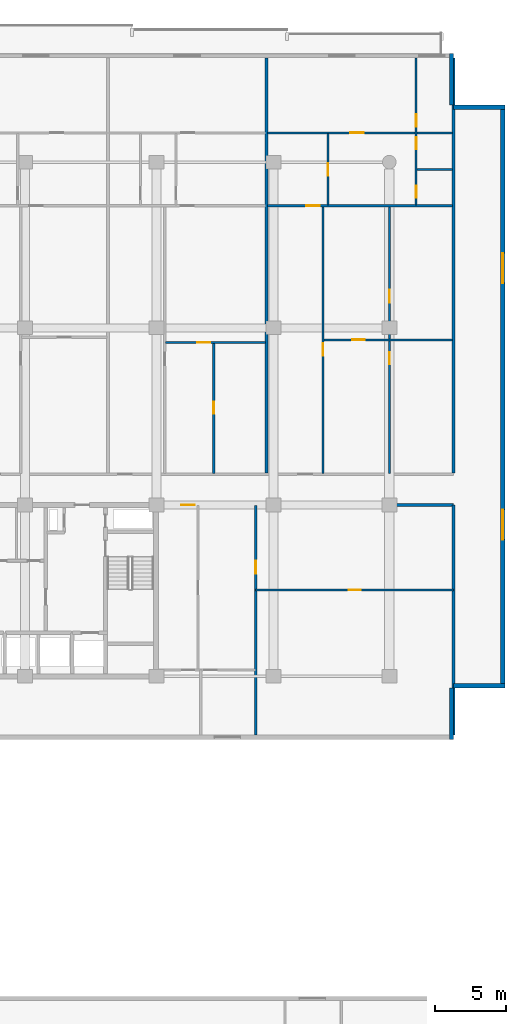
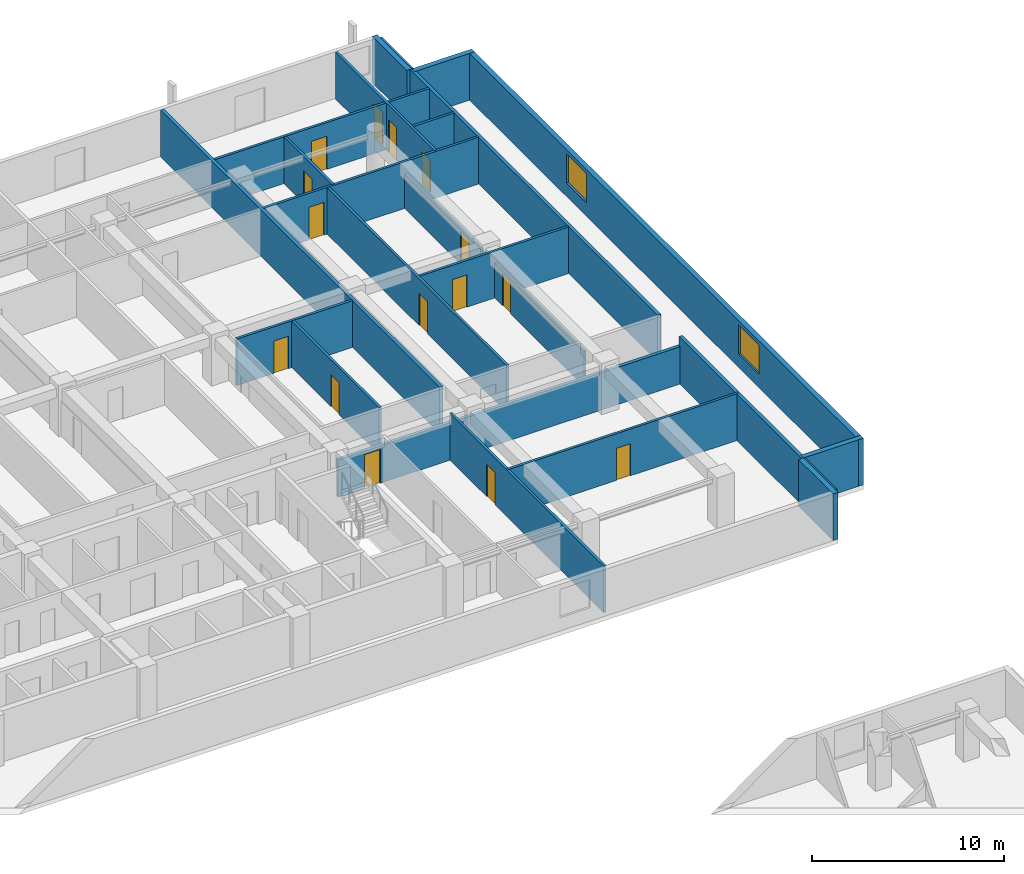
# One storey, part 17 of 23: 21 walls, 15 doors, 2 windows, 17 openings.
"""IFC4 building model written with IfcOpenShell, lengths in metres."""

from ifc_helpers import new_model, si_unit, direction, frame, frame_2d, origin, place, context, subcontext, project, spatial, rectangle, extrude, material, layer, layer_set, type_object, element, fill, save


model = new_model("IFC4")

# Units and contexts
model_context = context("Model", 3, precision=1e-05, world=origin(), true_north=direction((0.0, 1.0)))
body_context = subcontext(model_context, "Body", "Model", "MODEL_VIEW")
ifc_project = project(units=[si_unit("LENGTHUNIT", "METRE"), si_unit("AREAUNIT", "SQUARE_METRE"), si_unit("VOLUMEUNIT", "CUBIC_METRE"), si_unit("PLANEANGLEUNIT", "RADIAN"), si_unit("MASSUNIT", "GRAM", prefix="KILO")], contexts=[model_context])

# Site, building, storey
site_placement = place(None, origin())
site = spatial("IfcSite", under=ifc_project, at=site_placement, CompositionType="ELEMENT")
building_placement = place(site_placement, origin())
building = spatial("IfcBuilding", under=site, at=building_placement, Name="Korimba Cascade Residences", CompositionType="ELEMENT")
storey_placement = place(building_placement, frame((0.0, 0.0, 30.5)))
storey = spatial("IfcBuildingStorey", under=building, at=storey_placement, Name="L07", CompositionType="ELEMENT", Elevation=30.5)

# Walls
ifc_material_1 = material(Name="Precast concrete C40/50", Category="concrete")
ifc_layer_1 = layer(ifc_material_1, 0.300048828125)
ifc_layer_set_1 = layer_set([ifc_layer_1], Name="Precast concrete C40/50")
wall_type_1 = type_object("IfcWallType", Name="EW-STONE-300", PredefinedType="STANDARD", material=ifc_layer_set_1)
wall_1_placement = place(storey_placement, frame((132.75, 50.800048828125, 0.0), z_axis=(0.0, 0.0, 1.0), x_axis=(0.0, 1.0, 0.0)))
element("IfcWall", 1, at=wall_1_placement, inside=storey, type_object=wall_type_1, Name="L07 T1 Perimeter Stone Wall E01", PredefinedType="STANDARD", context=body_context, shape_type="SweptSolid", body=[
    extrude(rectangle(XDim=3.599853515625, YDim=0.300048828125, at=frame_2d((1.7998046875, 0.0))), origin(), (0.0, 0.0, 1.0), 2.969970703125),
])
wall_2_placement = place(storey_placement, frame((132.89990234375, 54.550048828125, 0.0), z_axis=(0.0, 0.0, 1.0), x_axis=(1.0, 0.0, 0.0)))
element("IfcWall", 2, at=wall_2_placement, inside=storey, type_object=wall_type_1, Name="L07 T1 Perimeter Stone Wall E02", PredefinedType="STANDARD", context=body_context, shape_type="SweptSolid", body=[
    extrude(rectangle(XDim=3.60009765625, YDim=0.300048828125, at=frame_2d((1.800048828125, 0.0))), origin(), (0.0, 0.0, 1.0), 2.969970703125),
])

# Wall, openings, windows
wall_3_placement = place(storey_placement, frame((136.35009765625, 54.39990234375, 0.0), z_axis=(0.0, 0.0, 1.0), x_axis=(0.0, 1.0, 0.0)))
wall_3 = element("IfcWall", 3, at=wall_3_placement, inside=storey, type_object=wall_type_1, Name="L07 T1 Perimeter Stone Wall E03", PredefinedType="STANDARD", context=body_context, shape_type="SweptSolid", body=[
    extrude(rectangle(XDim=40.800048828125, YDim=0.300048828125, at=frame_2d((20.39990234375, 0.0))), origin(), (0.0, 0.0, 1.0), 2.969970703125),
])
opening_1_placement = place(wall_3_placement, frame((10.3740234375, 0.0, 0.85009765625)))
opening_1 = element("IfcOpeningElement", 4, at=opening_1_placement, cuts=wall_3, Name="Opening W-03", PredefinedType="OPENING", context=body_context, shape_type="SweptSolid", body=[
    extrude(rectangle(XDim=2.10009765625, YDim=1.85009765625, at=frame_2d((1.050048828125, 0.925048828125))), frame((0.0, 0.16015625, 0.0), z_axis=(0.0, -1.0, 0.0), x_axis=(1.0, 0.0, 0.0)), (0.0, 0.0, 1.0), 0.320068359375),
])
opening_2_placement = place(wall_3_placement, frame((28.325927734375, 0.0, 0.85009765625)))
opening_2 = element("IfcOpeningElement", 5, at=opening_2_placement, cuts=wall_3, Name="Opening W-03", PredefinedType="OPENING", context=body_context, shape_type="SweptSolid", body=[
    extrude(rectangle(XDim=2.10009765625, YDim=1.85009765625, at=frame_2d((1.050048828125, 0.925048828125))), frame((0.0, 0.16015625, 0.0), z_axis=(0.0, -1.0, 0.0), x_axis=(1.0, 0.0, 0.0)), (0.0, 0.0, 1.0), 0.320068359375),
])
ifc_material_2 = material(Name="Double-Glazed Aluminium Window", Category="aluminium")
window_type = type_object("IfcWindowType", Name="WIN-CRN-2100", PartitioningType="DOUBLE_PANEL_HORIZONTAL", PredefinedType="WINDOW", material=ifc_material_2)
window_1_placement = place(opening_1_placement, origin())
window_1 = element("IfcWindow", 6, at=window_1_placement, inside=storey, type_object=window_type, Name="L07 T1 End View Window 3.1", OverallHeight=1.85009765625, OverallWidth=2.10009765625, PartitioningType="DOUBLE_PANEL_HORIZONTAL", PredefinedType="WINDOW", context=body_context, shape_type="SweptSolid", body=[
    extrude(rectangle(XDim=2.10009765625, YDim=1.85009765625, at=frame_2d((1.050048828125, 0.925048828125))), frame((0.0, 0.030029296875, 0.0), z_axis=(0.0, -1.0, 0.0), x_axis=(1.0, 0.0, 0.0)), (0.0, 0.0, 1.0), 0.06005859375),
])
fill(opening_1, window_1)
window_2_placement = place(opening_2_placement, origin())
window_2 = element("IfcWindow", 7, at=window_2_placement, inside=storey, type_object=window_type, Name="L07 T1 End View Window 3.2", OverallHeight=1.85009765625, OverallWidth=2.10009765625, PartitioningType="DOUBLE_PANEL_HORIZONTAL", PredefinedType="WINDOW", context=body_context, shape_type="SweptSolid", body=[
    extrude(rectangle(XDim=2.10009765625, YDim=1.85009765625, at=frame_2d((1.050048828125, 0.925048828125))), frame((0.0, 0.030029296875, 0.0), z_axis=(0.0, -1.0, 0.0), x_axis=(1.0, 0.0, 0.0)), (0.0, 0.0, 1.0), 0.06005859375),
])
fill(opening_2, window_2)

# Walls
for number, where, z_axis, x_axis, name in (
    (8, (136.5, 95.050048828125, 0.0), (0.0, 0.0, 1.0), (-1.0, 0.0, 0.0), "L07 T1 Perimeter Stone Wall E04"),
    (9, (132.75, 95.199951171875, 0.0), (0.0, 0.0, 1.0), (0.0, 1.0, 0.0), "L07 T1 Perimeter Stone Wall E05"),
):
    element("IfcWall", number, at=place(storey_placement, frame(where, z_axis=z_axis, x_axis=x_axis)), inside=storey, type_object=wall_type_1, Name=name, PredefinedType="STANDARD", context=body_context, shape_type="SweptSolid", body=[
        extrude(rectangle(XDim=3.60009765625, YDim=0.300048828125, at=frame_2d((1.800048828125, 0.0))), origin(), (0.0, 0.0, 1.0), 2.969970703125),
    ])
ifc_layer_2 = layer(ifc_material_1, 0.199951171875)
ifc_layer_set_2 = layer_set([ifc_layer_2], Name="Precast concrete C40/50")
wall_type_2 = type_object("IfcWallType", Name="WAL-IT-200", PredefinedType="PARTITIONING", material=ifc_layer_set_2)
wall_4_placement = place(storey_placement, frame((132.89990234375, 51.10009765625, 0.0), z_axis=(0.0, 0.0, 1.0), x_axis=(0.0, 1.0, 0.0)))
element("IfcWall", 10, at=wall_4_placement, inside=storey, type_object=wall_type_2, Name="L07 Partition Wall WAL-L07-T1-FE-WR", PredefinedType="PARTITIONING", context=body_context, shape_type="SweptSolid", body=[
    extrude(rectangle(XDim=16.099853515625, YDim=0.199951171875, at=frame_2d((8.0498046875, 0.0))), origin(), (0.0, 0.0, 1.0), 2.969970703125),
])

# Wall, opening, door
wall_5_placement = place(storey_placement, frame((112.25, 67.199951171875, 0.0), z_axis=(0.0, 0.0, 1.0), x_axis=(1.0, 0.0, 0.0)))
wall_5 = element("IfcWall", 11, at=wall_5_placement, inside=storey, type_object=wall_type_2, Name="L07 Partition Wall WAL-L07-T1-FE-N", PredefinedType="PARTITIONING", context=body_context, shape_type="SweptSolid", body=[
    extrude(rectangle(XDim=20.64990234375, YDim=0.199951171875, at=frame_2d((10.324951171875, 0.0))), origin(), (0.0, 0.0, 1.0), 2.3701171875),
])
opening_3_placement = place(wall_5_placement, frame((1.580078125, 0.0, 0.0)))
opening_3 = element("IfcOpeningElement", 12, at=opening_3_placement, cuts=wall_5, Name="Opening D-UN1", PredefinedType="OPENING", context=body_context, shape_type="SweptSolid", body=[
    extrude(rectangle(XDim=0.949951171875, YDim=2.14990234375, at=frame_2d((0.47509765625, 1.074951171875))), frame((0.0, 0.10986328125, 0.0), z_axis=(0.0, -1.0, 0.0), x_axis=(1.0, 0.0, 0.0)), (0.0, 0.0, 1.0), 0.219970703125),
])
ifc_material_3 = material(Name="Fire-Rated Hardwood Apartment Entrance Door", Category="wood")
door_type_1 = type_object("IfcDoorType", Name="DR-FD60-950", OperationType="NOTDEFINED", PredefinedType="DOOR", material=ifc_material_3)
door_1_placement = place(opening_3_placement, origin())
door_1 = element("IfcDoor", 13, at=door_1_placement, inside=storey, type_object=door_type_1, Name="L07-T1-FE Entrance Door", OperationType="SINGLE_SWING_LEFT", OverallHeight=2.14990234375, OverallWidth=0.949951171875, PredefinedType="DOOR", context=body_context, shape_type="SweptSolid", body=[
    extrude(rectangle(XDim=0.949951171875, YDim=2.14990234375, at=frame_2d((0.47509765625, 1.074951171875))), frame((0.0, 0.02490234375, 0.0), z_axis=(0.0, -1.0, 0.0), x_axis=(1.0, 0.0, 0.0)), (0.0, 0.0, 1.0), 0.050048828125),
])
fill(opening_3, door_1)

# Walls
for number, where, z_axis, x_axis, name in (
    (14, (132.89990234375, 69.429931640625, 0.0), (0.0, 0.0, 1.0), (0.0, 1.0, 0.0), "L07 Partition Wall WAL-L07-T1-BNDWR"),
    (15, (119.798583984375, 69.429931640625, 0.0), (0.0, 0.0, 1.0), (0.0, 1.0, 0.0), "L07 Partition Wall WAL-L07-T1-DEM-6"),
):
    element("IfcWall", number, at=place(storey_placement, frame(where, z_axis=z_axis, x_axis=x_axis)), inside=storey, type_object=wall_type_2, Name=name, PredefinedType="PARTITIONING", context=body_context, shape_type="SweptSolid", body=[
        extrude(rectangle(XDim=29.070068359375, YDim=0.199951171875, at=frame_2d((14.53515625, 0.0))), origin(), (0.0, 0.0, 1.0), 2.969970703125),
    ])

# Wall, opening, door
ifc_material_4 = material(Name="Insulated Acoustic Stud Partition", Category="gypsum")
ifc_layer_3 = layer(ifc_material_4, 0.14990234375)
ifc_layer_set_3 = layer_set([ifc_layer_3], Name="Insulated Acoustic Stud Partition")
wall_type_3 = type_object("IfcWallType", Name="WAL-PART-150", PredefinedType="PARTITIONING", material=ifc_layer_set_3)
wall_6_placement = place(storey_placement, frame((119.050048828125, 61.25, 0.0), z_axis=(0.0, 0.0, 1.0), x_axis=(1.0, 0.0, 0.0)))
wall_6 = element("IfcWall", 16, at=wall_6_placement, inside=storey, type_object=wall_type_3, Name="L07 Partition Wall WAL-L07-T1-FE-STH", PredefinedType="PARTITIONING", context=body_context, shape_type="SweptSolid", body=[
    extrude(rectangle(XDim=13.849853515625, YDim=0.14990234375, at=frame_2d((6.9248046875, 0.0))), origin(), (0.0, 0.0, 1.0), 2.969970703125),
])
opening_4_placement = place(wall_6_placement, frame((6.5048828125, 0.0, 0.0)))
opening_4 = element("IfcOpeningElement", 17, at=opening_4_placement, cuts=wall_6, Name="Opening D-BT1", PredefinedType="OPENING", context=body_context, shape_type="SweptSolid", body=[
    extrude(rectangle(XDim=0.840087890625, YDim=2.0400390625, at=frame_2d((0.419921875, 1.02001953125))), frame((0.0, 0.0849609375, 0.0), z_axis=(0.0, -1.0, 0.0), x_axis=(1.0, 0.0, 0.0)), (0.0, 0.0, 1.0), 0.169921875),
])
ifc_material_5 = material(Name="Moisture-Resistant Bathroom Timber Door", Category="wood")
door_type_2 = type_object("IfcDoorType", Name="DR-INT-850", OperationType="NOTDEFINED", PredefinedType="DOOR", material=ifc_material_5)
door_2_placement = place(opening_4_placement, origin())
door_2 = element("IfcDoor", 18, at=door_2_placement, inside=storey, type_object=door_type_2, Name="L07-T1-FE Dressing Store Door", OperationType="SINGLE_SWING_RIGHT", OverallHeight=2.0400390625, OverallWidth=0.840087890625, PredefinedType="DOOR", context=body_context, shape_type="SweptSolid", body=[
    extrude(rectangle(XDim=0.840087890625, YDim=2.0400390625, at=frame_2d((0.419921875, 1.02001953125))), frame((0.0, 0.02490234375, 0.0), z_axis=(0.0, -1.0, 0.0), x_axis=(1.0, 0.0, 0.0)), (0.0, 0.0, 1.0), 0.050048828125),
])
fill(opening_4, door_2)

wall_7_placement = place(storey_placement, frame((119.050048828125, 51.10009765625, 0.0), z_axis=(0.0, 0.0, 1.0), x_axis=(0.0, 1.0, 0.0)))
wall_7 = element("IfcWall", 19, at=wall_7_placement, inside=storey, type_object=wall_type_3, Name="L07 Partition Wall WAL-L07-T1-FE-STV", PredefinedType="PARTITIONING", context=body_context, shape_type="SweptSolid", body=[
    extrude(rectangle(XDim=16.0498046875, YDim=0.14990234375, at=frame_2d((8.02490234375, 0.0))), origin(), (0.0, 0.0, 1.0), 2.969970703125),
])
opening_5_placement = place(wall_7_placement, frame((11.300048828125, 0.0, 0.0)))
opening_5 = element("IfcOpeningElement", 20, at=opening_5_placement, cuts=wall_7, Name="Opening D-IN2", PredefinedType="OPENING", context=body_context, shape_type="SweptSolid", body=[
    extrude(rectangle(XDim=0.8798828125, YDim=2.06005859375, at=frame_2d((0.43994140625, 1.030029296875))), frame((0.0, 0.0849609375, 0.0), z_axis=(0.0, -1.0, 0.0), x_axis=(1.0, 0.0, 0.0)), (0.0, 0.0, 1.0), 0.169921875),
])
ifc_material_6 = material(Name="Acoustic Timber Bedroom Door", Category="wood")
door_type_3 = type_object("IfcDoorType", Name="DR-INT-880", OperationType="NOTDEFINED", PredefinedType="DOOR", material=ifc_material_6)
door_3_placement = place(opening_5_placement, origin())
door_3 = element("IfcDoor", 21, at=door_3_placement, inside=storey, type_object=door_type_3, Name="L07-T1-FE Study Door", OperationType="SINGLE_SWING_LEFT", OverallHeight=2.06005859375, OverallWidth=0.8798828125, PredefinedType="DOOR", context=body_context, shape_type="SweptSolid", body=[
    extrude(rectangle(XDim=0.8798828125, YDim=2.06005859375, at=frame_2d((0.43994140625, 1.030029296875))), frame((0.0, 0.02490234375, 0.0), z_axis=(0.0, -1.0, 0.0), x_axis=(1.0, 0.0, 0.0)), (0.0, 0.0, 1.0), 0.050048828125),
])
fill(opening_5, door_3)

wall_8_placement = place(storey_placement, frame((116.11083984375, 69.409912109375, 0.0), z_axis=(0.0, 0.0, 1.0), x_axis=(0.0, 1.0, 0.0)))
wall_8 = element("IfcWall", 22, at=wall_8_placement, inside=storey, type_object=wall_type_3, Name="L07 Partition Wall WAL-L07-T1-U06-FMV", PredefinedType="PARTITIONING", context=body_context, shape_type="SweptSolid", body=[
    extrude(rectangle(XDim=9.170166015625, YDim=0.14990234375, at=frame_2d((4.5849609375, 0.0))), origin(), (0.0, 0.0, 1.0), 2.969970703125),
])
opening_6_placement = place(wall_8_placement, frame((4.1650390625, 0.0, 0.0)))
opening_6 = element("IfcOpeningElement", 23, at=opening_6_placement, cuts=wall_8, Name="Opening D-BT1", PredefinedType="OPENING", context=body_context, shape_type="SweptSolid", body=[
    extrude(rectangle(XDim=0.840087890625, YDim=2.0400390625, at=frame_2d((0.419921875, 1.02001953125))), frame((0.0, 0.0849609375, 0.0), z_axis=(0.0, -1.0, 0.0), x_axis=(1.0, 0.0, 0.0)), (0.0, 0.0, 1.0), 0.169921875),
])
door_4_placement = place(opening_6_placement, origin())
door_4 = element("IfcDoor", 24, at=door_4_placement, inside=storey, type_object=door_type_2, Name="L07-T1-U06 Wardrobe Door", OperationType="SINGLE_SWING_RIGHT", OverallHeight=2.0400390625, OverallWidth=0.840087890625, PredefinedType="DOOR", context=body_context, shape_type="SweptSolid", body=[
    extrude(rectangle(XDim=0.840087890625, YDim=2.0400390625, at=frame_2d((0.419921875, 1.02001953125))), frame((0.0, 0.02490234375, 0.0), z_axis=(0.0, -1.0, 0.0), x_axis=(1.0, 0.0, 0.0)), (0.0, 0.0, 1.0), 0.050048828125),
])
fill(opening_6, door_4)

wall_9_placement = place(storey_placement, frame((112.742919921875, 78.580078125, 0.0), z_axis=(0.0, 0.0, 1.0), x_axis=(1.0, 0.0, 0.0)))
wall_9 = element("IfcWall", 25, at=wall_9_placement, inside=storey, type_object=wall_type_3, Name="L07 Partition Wall WAL-L07-T1-U06-FMH", PredefinedType="PARTITIONING", context=body_context, shape_type="SweptSolid", body=[
    extrude(rectangle(XDim=6.9755859375, YDim=0.14990234375, at=frame_2d((3.48779296875, 0.0))), origin(), (0.0, 0.0, 1.0), 2.969970703125),
])
opening_7_placement = place(wall_9_placement, frame((2.2294921875, 0.0, 0.0)))
opening_7 = element("IfcOpeningElement", 26, at=opening_7_placement, cuts=wall_9, Name="Opening D-IN2", PredefinedType="OPENING", context=body_context, shape_type="SweptSolid", body=[
    extrude(rectangle(XDim=0.8798828125, YDim=2.06005859375, at=frame_2d((0.43994140625, 1.030029296875))), frame((0.0, 0.0849609375, 0.0), z_axis=(0.0, -1.0, 0.0), x_axis=(1.0, 0.0, 0.0)), (0.0, 0.0, 1.0), 0.169921875),
])
door_5_placement = place(opening_7_placement, origin())
door_5 = element("IfcDoor", 27, at=door_5_placement, inside=storey, type_object=door_type_3, Name="L07-T1-U06 Library Salon Door", OperationType="SINGLE_SWING_LEFT", OverallHeight=2.06005859375, OverallWidth=0.8798828125, PredefinedType="DOOR", context=body_context, shape_type="SweptSolid", body=[
    extrude(rectangle(XDim=0.8798828125, YDim=2.06005859375, at=frame_2d((0.43994140625, 1.030029296875))), frame((0.0, 0.02490234375, 0.0), z_axis=(0.0, -1.0, 0.0), x_axis=(1.0, 0.0, 0.0)), (0.0, 0.0, 1.0), 0.050048828125),
])
fill(opening_7, door_5)

# Wall, openings, doors
wall_10_placement = place(storey_placement, frame((128.42431640625, 69.409912109375, 0.0), z_axis=(0.0, 0.0, 1.0), x_axis=(0.0, 1.0, 0.0)))
wall_10 = element("IfcWall", 28, at=wall_10_placement, inside=storey, type_object=wall_type_3, Name="L07 Partition Wall WAL-L07-T1-U07-FMV", PredefinedType="PARTITIONING", context=body_context, shape_type="SweptSolid", body=[
    extrude(rectangle(XDim=18.7001953125, YDim=0.14990234375, at=frame_2d((9.35009765625, 0.0))), origin(), (0.0, 0.0, 1.0), 2.219970703125),
])
opening_8_placement = place(wall_10_placement, frame((7.627197265625, 0.0, 0.0)))
opening_8 = element("IfcOpeningElement", 29, at=opening_8_placement, cuts=wall_10, Name="Opening D-BT1", PredefinedType="OPENING", context=body_context, shape_type="SweptSolid", body=[
    extrude(rectangle(XDim=0.840087890625, YDim=2.0400390625, at=frame_2d((0.419921875, 1.02001953125))), frame((0.0, 0.0849609375, 0.0), z_axis=(0.0, -1.0, 0.0), x_axis=(1.0, 0.0, 0.0)), (0.0, 0.0, 1.0), 0.169921875),
])
opening_9_placement = place(wall_10_placement, frame((11.9609375, 0.0, 0.0)))
opening_9 = element("IfcOpeningElement", 30, at=opening_9_placement, cuts=wall_10, Name="Opening D-IN2", PredefinedType="OPENING", context=body_context, shape_type="SweptSolid", body=[
    extrude(rectangle(XDim=0.8798828125, YDim=2.06005859375, at=frame_2d((0.43994140625, 1.030029296875))), frame((0.0, 0.0849609375, 0.0), z_axis=(0.0, -1.0, 0.0), x_axis=(1.0, 0.0, 0.0)), (0.0, 0.0, 1.0), 0.169921875),
])
door_6_placement = place(opening_8_placement, origin())
door_6 = element("IfcDoor", 31, at=door_6_placement, inside=storey, type_object=door_type_2, Name="L07-T1-U07 Wardrobe Door", OperationType="SINGLE_SWING_LEFT", OverallHeight=2.0400390625, OverallWidth=0.840087890625, PredefinedType="DOOR", context=body_context, shape_type="SweptSolid", body=[
    extrude(rectangle(XDim=0.840087890625, YDim=2.0400390625, at=frame_2d((0.419921875, 1.02001953125))), frame((0.0, 0.02490234375, 0.0), z_axis=(0.0, -1.0, 0.0), x_axis=(1.0, 0.0, 0.0)), (0.0, 0.0, 1.0), 0.050048828125),
])
fill(opening_8, door_6)
door_7_placement = place(opening_9_placement, origin())
door_7 = element("IfcDoor", 32, at=door_7_placement, inside=storey, type_object=door_type_3, Name="L07-T1-U07 Music Lounge Door", OperationType="SINGLE_SWING_RIGHT", OverallHeight=2.06005859375, OverallWidth=0.8798828125, PredefinedType="DOOR", context=body_context, shape_type="SweptSolid", body=[
    extrude(rectangle(XDim=0.8798828125, YDim=2.06005859375, at=frame_2d((0.43994140625, 1.030029296875))), frame((0.0, 0.02490234375, 0.0), z_axis=(0.0, -1.0, 0.0), x_axis=(1.0, 0.0, 0.0)), (0.0, 0.0, 1.0), 0.050048828125),
])
fill(opening_9, door_7)

# Wall, opening, door
wall_11_placement = place(storey_placement, frame((123.82861328125, 78.760009765625, 0.0), z_axis=(0.0, 0.0, 1.0), x_axis=(1.0, 0.0, 0.0)))
wall_11 = element("IfcWall", 33, at=wall_11_placement, inside=storey, type_object=wall_type_3, Name="L07 Partition Wall WAL-L07-T1-U07-FMH", PredefinedType="PARTITIONING", context=body_context, shape_type="SweptSolid", body=[
    extrude(rectangle(XDim=8.991455078125, YDim=0.14990234375, at=frame_2d((4.49560546875, 0.0))), origin(), (0.0, 0.0, 1.0), 2.969970703125),
])
opening_10_placement = place(wall_11_placement, frame((1.98583984375, 0.0, 0.0)))
opening_10 = element("IfcOpeningElement", 34, at=opening_10_placement, cuts=wall_11, Name="Opening D-IN2", PredefinedType="OPENING", context=body_context, shape_type="SweptSolid", body=[
    extrude(rectangle(XDim=0.8798828125, YDim=2.06005859375, at=frame_2d((0.43994140625, 1.030029296875))), frame((0.0, 0.0849609375, 0.0), z_axis=(0.0, -1.0, 0.0), x_axis=(1.0, 0.0, 0.0)), (0.0, 0.0, 1.0), 0.169921875),
])
door_8_placement = place(opening_10_placement, origin())
door_8 = element("IfcDoor", 35, at=door_8_placement, inside=storey, type_object=door_type_3, Name="L07-T1-U07 Library Salon Door", OperationType="SINGLE_SWING_LEFT", OverallHeight=2.06005859375, OverallWidth=0.8798828125, PredefinedType="DOOR", context=body_context, shape_type="SweptSolid", body=[
    extrude(rectangle(XDim=0.8798828125, YDim=2.06005859375, at=frame_2d((0.43994140625, 1.030029296875))), frame((0.0, 0.02490234375, 0.0), z_axis=(0.0, -1.0, 0.0), x_axis=(1.0, 0.0, 0.0)), (0.0, 0.0, 1.0), 0.050048828125),
])
fill(opening_10, door_8)

wall_12_placement = place(storey_placement, frame((123.7685546875, 69.409912109375, 0.0), z_axis=(0.0, 0.0, 1.0), x_axis=(0.0, 1.0, 0.0)))
wall_12 = element("IfcWall", 36, at=wall_12_placement, inside=storey, type_object=wall_type_3, Name="L07 Partition Wall WAL-L07-T1-U07-FV", PredefinedType="PARTITIONING", context=body_context, shape_type="SweptSolid", body=[
    extrude(rectangle(XDim=18.7001953125, YDim=0.14990234375, at=frame_2d((9.35009765625, 0.0))), origin(), (0.0, 0.0, 1.0), 2.969970703125),
])
opening_11_placement = place(wall_12_placement, frame((8.219970703125, 0.0, 0.0)))
opening_11 = element("IfcOpeningElement", 37, at=opening_11_placement, cuts=wall_12, Name="Opening D-IN2", PredefinedType="OPENING", context=body_context, shape_type="SweptSolid", body=[
    extrude(rectangle(XDim=0.8798828125, YDim=2.06005859375, at=frame_2d((0.43994140625, 1.030029296875))), frame((0.0, 0.0849609375, 0.0), z_axis=(0.0, -1.0, 0.0), x_axis=(1.0, 0.0, 0.0)), (0.0, 0.0, 1.0), 0.169921875),
])
door_9_placement = place(opening_11_placement, origin())
door_9 = element("IfcDoor", 38, at=door_9_placement, inside=storey, type_object=door_type_3, Name="L07-T1-U07 Media Lounge Door", OperationType="SINGLE_SWING_RIGHT", OverallHeight=2.06005859375, OverallWidth=0.8798828125, PredefinedType="DOOR", context=body_context, shape_type="SweptSolid", body=[
    extrude(rectangle(XDim=0.8798828125, YDim=2.06005859375, at=frame_2d((0.43994140625, 1.030029296875))), frame((0.0, 0.02490234375, 0.0), z_axis=(0.0, -1.0, 0.0), x_axis=(1.0, 0.0, 0.0)), (0.0, 0.0, 1.0), 0.050048828125),
])
fill(opening_11, door_9)

wall_13_placement = place(storey_placement, frame((124.11865234375, 88.18994140625, 0.0), z_axis=(0.0, 0.0, 1.0), x_axis=(0.0, 1.0, 0.0)))
wall_13 = element("IfcWall", 39, at=wall_13_placement, inside=storey, type_object=wall_type_3, Name="L07 Partition Wall WAL-L07-T1-U07-VDIN", PredefinedType="PARTITIONING", context=body_context, shape_type="SweptSolid", body=[
    extrude(rectangle(XDim=5.0, YDim=0.14990234375, at=frame_2d((2.5, 0.0))), origin(), (0.0, 0.0, 1.0), 2.969970703125),
])
opening_12_placement = place(wall_13_placement, frame((2.06005859375, 0.0, 0.0)))
opening_12 = element("IfcOpeningElement", 40, at=opening_12_placement, cuts=wall_13, Name="Opening D-IN2", PredefinedType="OPENING", context=body_context, shape_type="SweptSolid", body=[
    extrude(rectangle(XDim=0.8798828125, YDim=2.06005859375, at=frame_2d((0.43994140625, 1.030029296875))), frame((0.0, 0.0849609375, 0.0), z_axis=(0.0, -1.0, 0.0), x_axis=(1.0, 0.0, 0.0)), (0.0, 0.0, 1.0), 0.169921875),
])
door_10_placement = place(opening_12_placement, origin())
door_10 = element("IfcDoor", 41, at=door_10_placement, inside=storey, type_object=door_type_3, Name="L07-T1-U07 Dining Room Door", OperationType="SINGLE_SWING_LEFT", OverallHeight=2.06005859375, OverallWidth=0.8798828125, PredefinedType="DOOR", context=body_context, shape_type="SweptSolid", body=[
    extrude(rectangle(XDim=0.8798828125, YDim=2.06005859375, at=frame_2d((0.43994140625, 1.030029296875))), frame((0.0, 0.02490234375, 0.0), z_axis=(0.0, -1.0, 0.0), x_axis=(1.0, 0.0, 0.0)), (0.0, 0.0, 1.0), 0.050048828125),
])
fill(opening_12, door_10)

# Wall
wall_14_placement = place(storey_placement, frame((130.340087890625, 90.68994140625, 0.0), z_axis=(0.0, 0.0, 1.0), x_axis=(1.0, 0.0, 0.0)))
element("IfcWall", 42, at=wall_14_placement, inside=storey, type_object=wall_type_3, Name="L07 Partition Wall WAL-L07-T1-U07-BLDIV", PredefinedType="PARTITIONING", context=body_context, shape_type="SweptSolid", body=[
    extrude(rectangle(XDim=2.47998046875, YDim=0.14990234375, at=frame_2d((1.239990234375, 0.0))), origin(), (0.0, 0.0, 1.0), 2.969970703125),
])

# Wall, openings, doors
wall_15_placement = place(storey_placement, frame((130.280029296875, 88.18994140625, 0.0), z_axis=(0.0, 0.0, 1.0), x_axis=(0.0, 1.0, 0.0)))
wall_15 = element("IfcWall", 43, at=wall_15_placement, inside=storey, type_object=wall_type_3, Name="L07 Partition Wall WAL-L07-T1-U07-V1", PredefinedType="PARTITIONING", context=body_context, shape_type="SweptSolid", body=[
    extrude(rectangle(XDim=10.31005859375, YDim=0.14990234375, at=frame_2d((5.155029296875, 0.0))), origin(), (0.0, 0.0, 1.0), 2.969970703125),
])
opening_13_placement = place(wall_15_placement, frame((0.5126953125, 0.0, 0.0)))
opening_13 = element("IfcOpeningElement", 44, at=opening_13_placement, cuts=wall_15, Name="Opening D-BT1", PredefinedType="OPENING", context=body_context, shape_type="SweptSolid", body=[
    extrude(rectangle(XDim=0.840087890625, YDim=2.0400390625, at=frame_2d((0.419921875, 1.02001953125))), frame((0.0, 0.0849609375, 0.0), z_axis=(0.0, -1.0, 0.0), x_axis=(1.0, 0.0, 0.0)), (0.0, 0.0, 1.0), 0.169921875),
])
opening_14_placement = place(wall_15_placement, frame((3.919921875, 0.0, 0.0)))
opening_14 = element("IfcOpeningElement", 45, at=opening_14_placement, cuts=wall_15, Name="Opening D-BT1", PredefinedType="OPENING", context=body_context, shape_type="SweptSolid", body=[
    extrude(rectangle(XDim=0.840087890625, YDim=2.0400390625, at=frame_2d((0.419921875, 1.02001953125))), frame((0.0, 0.0849609375, 0.0), z_axis=(0.0, -1.0, 0.0), x_axis=(1.0, 0.0, 0.0)), (0.0, 0.0, 1.0), 0.169921875),
])
opening_15_placement = place(wall_15_placement, frame((5.47998046875, 0.0, 0.0)))
opening_15 = element("IfcOpeningElement", 46, at=opening_15_placement, cuts=wall_15, Name="Opening D-IN2", PredefinedType="OPENING", context=body_context, shape_type="SweptSolid", body=[
    extrude(rectangle(XDim=0.8798828125, YDim=2.06005859375, at=frame_2d((0.43994140625, 1.030029296875))), frame((0.0, 0.0849609375, 0.0), z_axis=(0.0, -1.0, 0.0), x_axis=(1.0, 0.0, 0.0)), (0.0, 0.0, 1.0), 0.169921875),
])
door_11_placement = place(opening_13_placement, origin())
door_11 = element("IfcDoor", 47, at=door_11_placement, inside=storey, type_object=door_type_2, Name="L07-T1-U07 Bathroom Door", OperationType="SINGLE_SWING_RIGHT", OverallHeight=2.0400390625, OverallWidth=0.840087890625, PredefinedType="DOOR", context=body_context, shape_type="SweptSolid", body=[
    extrude(rectangle(XDim=0.840087890625, YDim=2.0400390625, at=frame_2d((0.419921875, 1.02001953125))), frame((0.0, 0.02490234375, 0.0), z_axis=(0.0, -1.0, 0.0), x_axis=(1.0, 0.0, 0.0)), (0.0, 0.0, 1.0), 0.050048828125),
])
fill(opening_13, door_11)
door_12_placement = place(opening_14_placement, origin())
door_12 = element("IfcDoor", 48, at=door_12_placement, inside=storey, type_object=door_type_2, Name="L07-T1-U07 Laundry Door", OperationType="SINGLE_SWING_LEFT", OverallHeight=2.0400390625, OverallWidth=0.840087890625, PredefinedType="DOOR", context=body_context, shape_type="SweptSolid", body=[
    extrude(rectangle(XDim=0.840087890625, YDim=2.0400390625, at=frame_2d((0.419921875, 1.02001953125))), frame((0.0, 0.02490234375, 0.0), z_axis=(0.0, -1.0, 0.0), x_axis=(1.0, 0.0, 0.0)), (0.0, 0.0, 1.0), 0.050048828125),
])
fill(opening_14, door_12)
door_13_placement = place(opening_15_placement, origin())
door_13 = element("IfcDoor", 49, at=door_13_placement, inside=storey, type_object=door_type_3, Name="L07-T1-U07 Bedroom 1 Door", OperationType="SINGLE_SWING_RIGHT", OverallHeight=2.06005859375, OverallWidth=0.8798828125, PredefinedType="DOOR", context=body_context, shape_type="SweptSolid", body=[
    extrude(rectangle(XDim=0.8798828125, YDim=2.06005859375, at=frame_2d((0.43994140625, 1.030029296875))), frame((0.0, 0.02490234375, 0.0), z_axis=(0.0, -1.0, 0.0), x_axis=(1.0, 0.0, 0.0)), (0.0, 0.0, 1.0), 0.050048828125),
])
fill(opening_15, door_13)

# Wall, opening, door
wall_16_placement = place(storey_placement, frame((119.878662109375, 88.14990234375, 0.0), z_axis=(0.0, 0.0, 1.0), x_axis=(1.0, 0.0, 0.0)))
wall_16 = element("IfcWall", 50, at=wall_16_placement, inside=storey, type_object=wall_type_3, Name="L07 Partition Wall WAL-L07-T1-U07-MW", PredefinedType="PARTITIONING", context=body_context, shape_type="SweptSolid", body=[
    extrude(rectangle(XDim=12.94140625, YDim=0.14990234375, at=frame_2d((6.470703125, 0.0))), origin(), (0.0, 0.0, 1.0), 2.969970703125),
])
opening_16_placement = place(wall_16_placement, frame((2.719970703125, 0.0, 0.0)))
opening_16 = element("IfcOpeningElement", 51, at=opening_16_placement, cuts=wall_16, Name="Opening D-IN1", PredefinedType="OPENING", context=body_context, shape_type="SweptSolid", body=[
    extrude(rectangle(XDim=0.919921875, YDim=2.080078125, at=frame_2d((0.4599609375, 1.0400390625))), frame((0.0, 0.0849609375, 0.0), z_axis=(0.0, -1.0, 0.0), x_axis=(1.0, 0.0, 0.0)), (0.0, 0.0, 1.0), 0.169921875),
])
ifc_material_7 = material(Name="Acoustic Timber Living Door", Category="wood")
door_type_4 = type_object("IfcDoorType", Name="DR-INT-920", OperationType="NOTDEFINED", PredefinedType="DOOR", material=ifc_material_7)
door_14_placement = place(opening_16_placement, origin())
door_14 = element("IfcDoor", 52, at=door_14_placement, inside=storey, type_object=door_type_4, Name="L07-T1-U07 Kitchen Archway Door", OperationType="SINGLE_SWING_LEFT", OverallHeight=2.080078125, OverallWidth=0.919921875, PredefinedType="DOOR", context=body_context, shape_type="SweptSolid", body=[
    extrude(rectangle(XDim=0.919921875, YDim=2.080078125, at=frame_2d((0.4599609375, 1.0400390625))), frame((0.0, 0.02490234375, 0.0), z_axis=(0.0, -1.0, 0.0), x_axis=(1.0, 0.0, 0.0)), (0.0, 0.0, 1.0), 0.050048828125),
])
fill(opening_16, door_14)

wall_17_placement = place(storey_placement, frame((119.878662109375, 93.25, 0.0), z_axis=(0.0, 0.0, 1.0), x_axis=(1.0, 0.0, 0.0)))
wall_17 = element("IfcWall", 53, at=wall_17_placement, inside=storey, type_object=wall_type_3, Name="L07 Partition Wall WAL-L07-T1-U07-HZ", PredefinedType="PARTITIONING", context=body_context, shape_type="SweptSolid", body=[
    extrude(rectangle(XDim=12.94140625, YDim=0.14990234375, at=frame_2d((6.470703125, 0.0))), origin(), (0.0, 0.0, 1.0), 2.969970703125),
])
opening_17_placement = place(wall_17_placement, frame((5.80615234375, 0.0, 0.0)))
opening_17 = element("IfcOpeningElement", 54, at=opening_17_placement, cuts=wall_17, Name="Opening D-IN0", PredefinedType="OPENING", context=body_context, shape_type="SweptSolid", body=[
    extrude(rectangle(XDim=0.93994140625, YDim=2.10009765625, at=frame_2d((0.469970703125, 1.050048828125))), frame((0.0, 0.0849609375, 0.0), z_axis=(0.0, -1.0, 0.0), x_axis=(1.0, 0.0, 0.0)), (0.0, 0.0, 1.0), 0.169921875),
])
ifc_material_8 = material(Name="Acoustic Timber Living Archway Door", Category="wood")
door_type_5 = type_object("IfcDoorType", Name="DR-INT-950", OperationType="NOTDEFINED", PredefinedType="DOOR", material=ifc_material_8)
door_15_placement = place(opening_17_placement, origin())
door_15 = element("IfcDoor", 55, at=door_15_placement, inside=storey, type_object=door_type_5, Name="L07-T1-U07 Living Archway Door", OperationType="SINGLE_SWING_RIGHT", OverallHeight=2.10009765625, OverallWidth=0.93994140625, PredefinedType="DOOR", context=body_context, shape_type="SweptSolid", body=[
    extrude(rectangle(XDim=0.93994140625, YDim=2.10009765625, at=frame_2d((0.469970703125, 1.050048828125))), frame((0.0, 0.02490234375, 0.0), z_axis=(0.0, -1.0, 0.0), x_axis=(1.0, 0.0, 0.0)), (0.0, 0.0, 1.0), 0.050048828125),
])
fill(opening_17, door_15)

save(model, "model.ifc")
